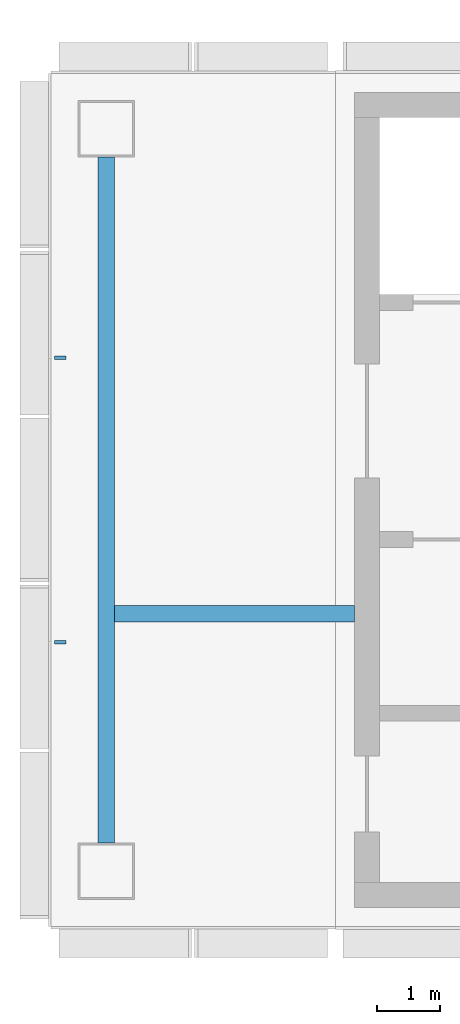
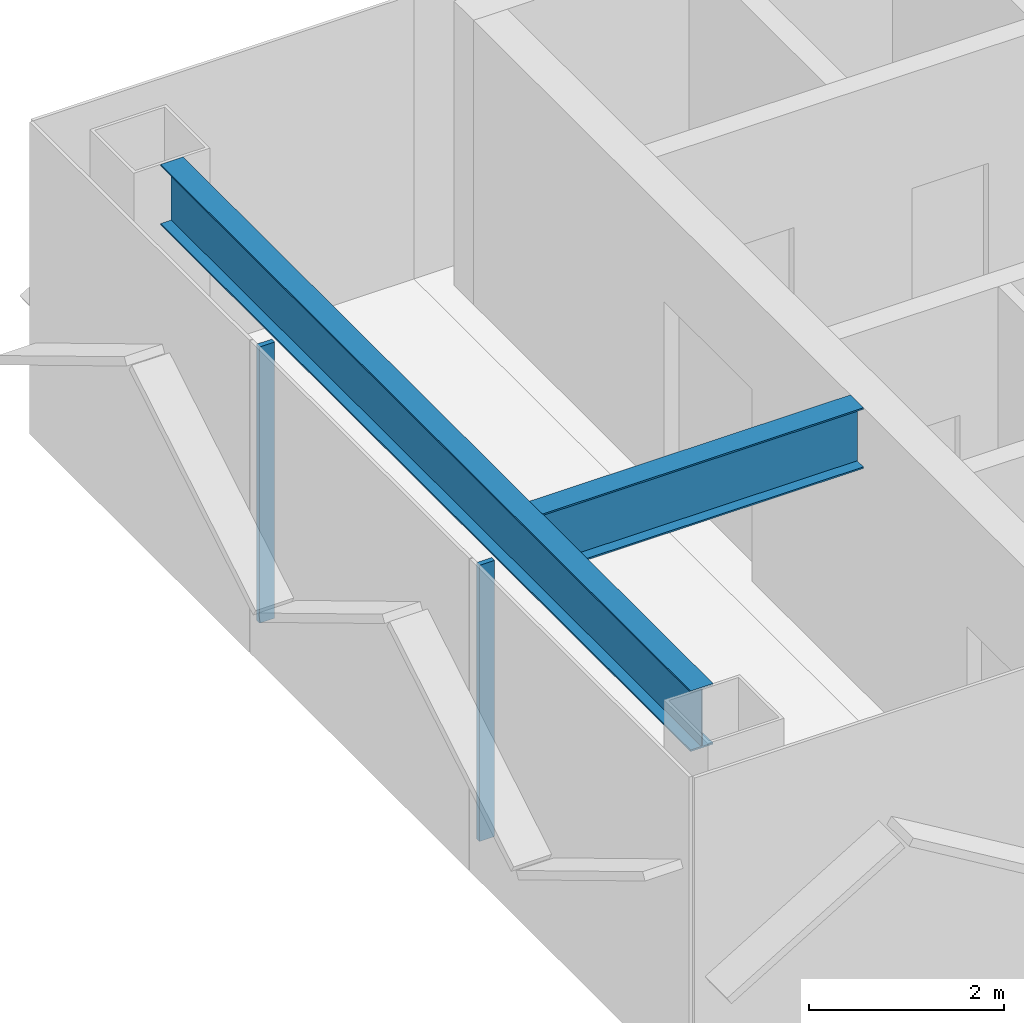
# One storey, part 3 of 17: 2 beams, 2 members, 1 element without a shape of its own.
"""IFC4 building model written with IfcOpenShell, lengths in metres."""

from ifc_helpers import new_model, si_unit, direction, frame, origin, origin_2d, place, context, subcontext, project, spatial, rectangle, i_section, extrude, material, layer, layer_set, material_profile, profile_set, type_object, element, aggregate, save


model = new_model("IFC4")

# Units and contexts
model_context = context("Model", 3, precision=1e-05, world=origin(), true_north=direction((0.0, 1.0)))
body_context = subcontext(model_context, "Body", "Model", "MODEL_VIEW")
ifc_project = project(units=[si_unit("LENGTHUNIT", "METRE"), si_unit("AREAUNIT", "SQUARE_METRE"), si_unit("VOLUMEUNIT", "CUBIC_METRE"), si_unit("PLANEANGLEUNIT", "RADIAN"), si_unit("MASSUNIT", "GRAM", prefix="KILO")], contexts=[model_context])

# Site, building, storey
site_placement = place(None, origin())
site = spatial("IfcSite", under=ifc_project, at=site_placement, CompositionType="ELEMENT")
building_placement = place(site_placement, origin())
building = spatial("IfcBuilding", under=site, at=building_placement, Name="Shamsa Quay Exchange Towers", CompositionType="ELEMENT")
storey_placement = place(building_placement, frame((0.0, 0.0, 257.699951171875)))
storey = spatial("IfcBuildingStorey", under=building, at=storey_placement, Name="L62", CompositionType="ELEMENT", Elevation=257.699951171875)

# Curtain wall, members
ifc_material_1 = material(Name="Aluminium EN AW-6063 T6, black anodised", Category="aluminium")
ifc_layer = layer(ifc_material_1, 0.280029296875)
ifc_layer_set = layer_set([ifc_layer], Name="CW-1 UNITISED VISION GLASS")
curtain_wall_type = type_object("IfcCurtainWallType", Name="CW-1 UNITISED VISION GLASS", PredefinedType="NOTDEFINED", material=ifc_layer_set)
curtain_wall_placement = place(storey_placement, origin())
curtain_wall = element("IfcCurtainWall", 1, at=curtain_wall_placement, inside=storey, type_object=curtain_wall_type, Name="CW1 T1-END-U- L62", PredefinedType="NOTDEFINED")
ifc_material_profile_1 = material_profile(ifc_material_1, rectangle(XDim=0.179931640625, YDim=0.06005859375, at=origin_2d()), Name="MU60x180")
ifc_profile_set_1 = profile_set([ifc_material_profile_1], Name="Aluminium EN AW-6063 T6, black anodised")
member_type = type_object("IfcMemberType", Name="CW1 MULLION 60x180", PredefinedType="MULLION", material=ifc_profile_set_1)
member_1_placement = place(storey_placement, frame((-58.35009765625, 2.25, 0.0)))
member_1 = element("IfcMember", 2, at=member_1_placement, type_object=member_type, Name="CW1 mullion", PredefinedType="MULLION", context=body_context, shape_type="SweptSolid", body=[
    extrude(rectangle(XDim=0.179931640625, YDim=0.06005859375, at=origin_2d()), origin(), (0.0, 0.0, 1.0), 3.449951171875),
])
member_2_placement = place(storey_placement, frame((-58.35009765625, -2.25, 0.0)))
member_2 = element("IfcMember", 3, at=member_2_placement, type_object=member_type, Name="CW1 mullion", PredefinedType="MULLION", context=body_context, shape_type="SweptSolid", body=[
    extrude(rectangle(XDim=0.179931640625, YDim=0.06005859375, at=origin_2d()), origin(), (0.0, 0.0, 1.0), 3.449951171875),
])
aggregate(curtain_wall, [member_1, member_2])

# Beams
ifc_material_2 = material(Name="Steel S355", Category="steel")
ifc_material_profile_2 = material_profile(ifc_material_2, i_section(OverallWidth=0.26611328125, OverallDepth=0.7578125, WebThickness=0.013916015625, FlangeThickness=0.019287109375, at=origin_2d()), Name="W30x108")
ifc_profile_set_2 = profile_set([ifc_material_profile_2], Name="Steel S355")
beam_type = type_object("IfcBeamType", Name="End-zone beam W30x108", PredefinedType="BEAM", material=ifc_profile_set_2)
beam_1_placement = place(storey_placement, frame((-57.625, -5.425048828125, 3.171142578125), z_axis=(0.0, 1.0, 0.0), x_axis=(-1.0, 0.0, 0.0)))
element("IfcBeam", 4, at=beam_1_placement, inside=storey, type_object=beam_type, Name="End beam T1 U- end zone L62", PredefinedType="BEAM", context=body_context, shape_type="SweptSolid", body=[
    extrude(i_section(OverallWidth=0.26611328125, OverallDepth=0.7578125, WebThickness=0.013916015625, FlangeThickness=0.019287109375, at=origin_2d()), origin(), (0.0, 0.0, 1.0), 10.85009765625),
])
beam_2_placement = place(storey_placement, frame((-53.699951171875, -1.800048828125, 3.171142578125), z_axis=(-1.0, 0.0, 0.0), x_axis=(0.0, -1.0, 0.0)))
element("IfcBeam", 5, at=beam_2_placement, inside=storey, type_object=beam_type, Name="Spine beam T1 U- end zone L62", PredefinedType="BEAM", context=body_context, shape_type="SweptSolid", body=[
    extrude(i_section(OverallWidth=0.26611328125, OverallDepth=0.7578125, WebThickness=0.013916015625, FlangeThickness=0.019287109375, at=origin_2d()), origin(), (0.0, 0.0, 1.0), 3.7919921875),
])

save(model, "model.ifc")
